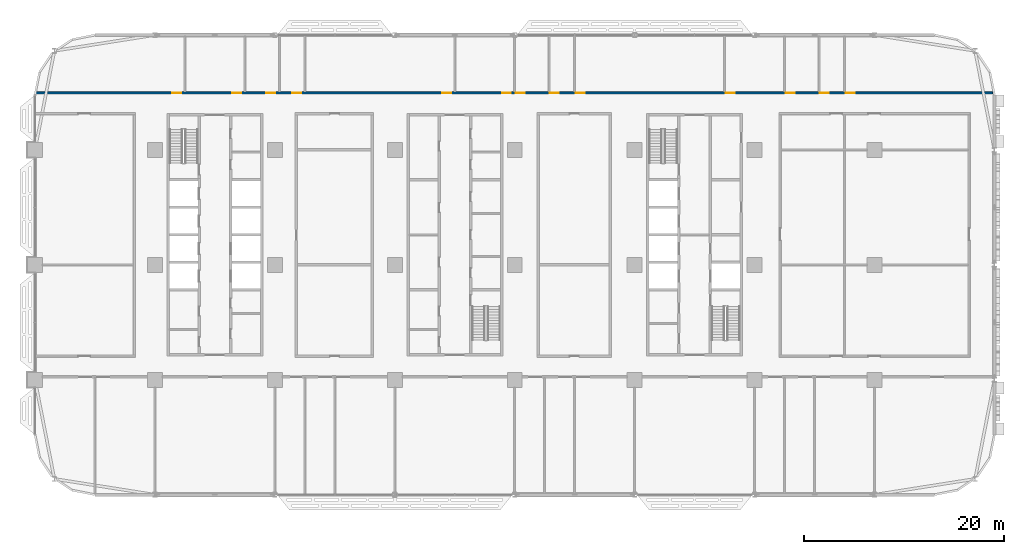
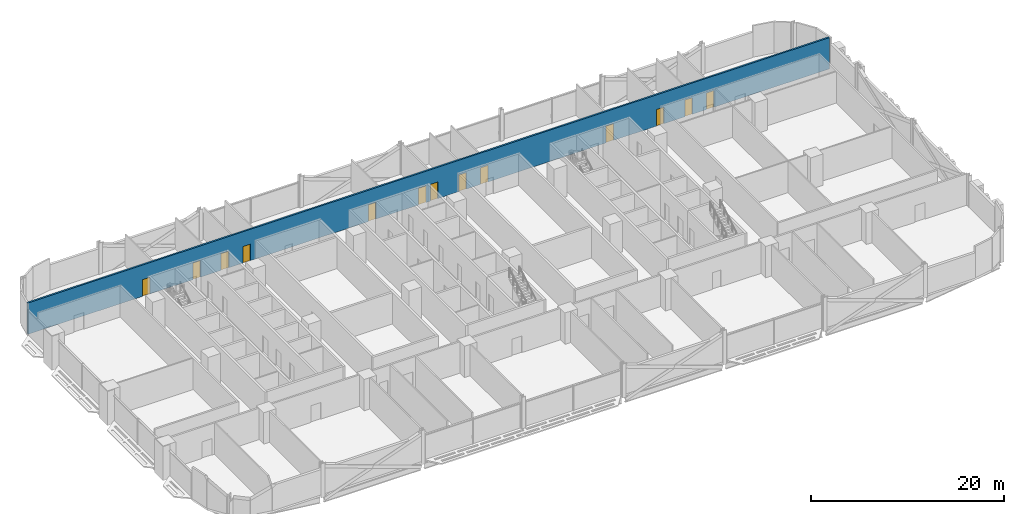
# One storey, part 15 of 29: 13 doors, 1 wall, 13 openings.
"""IFC4 building model written with IfcOpenShell, lengths in metres."""

from ifc_helpers import new_model, si_unit, direction, frame, frame_2d, origin, place, context, subcontext, project, spatial, rectangle, extrude, material, layer, layer_set, type_object, element, fill, save


model = new_model("IFC4")

# Units and contexts
model_context = context("Model", 3, precision=1e-05, world=origin(), true_north=direction((0.0, 1.0)))
body_context = subcontext(model_context, "Body", "Model", "MODEL_VIEW")
ifc_project = project(units=[si_unit("LENGTHUNIT", "METRE"), si_unit("AREAUNIT", "SQUARE_METRE"), si_unit("VOLUMEUNIT", "CUBIC_METRE"), si_unit("PLANEANGLEUNIT", "RADIAN"), si_unit("MASSUNIT", "GRAM", prefix="KILO")], contexts=[model_context])

# Site, building, storey
site_placement = place(None, origin())
site = spatial("IfcSite", under=ifc_project, at=site_placement, CompositionType="ELEMENT")
building_placement = place(site_placement, origin())
building = spatial("IfcBuilding", under=site, at=building_placement, Name="Mahtab Terrace Research Tower", CompositionType="ELEMENT")
storey_placement = place(building_placement, frame((0.0, 0.0, 67.5)))
storey = spatial("IfcBuildingStorey", under=building, at=storey_placement, Name="L15", CompositionType="ELEMENT", Elevation=67.5)

# Wall, openings, doors
ifc_material_1 = material(Name="Gypsum board corridor wall on steel studs", Category="steel")
ifc_layer = layer(ifc_material_1, 0.199951171875)
ifc_layer_set = layer_set([ifc_layer], Name="WALL CORRIDOR 200")
wall_type = type_object("IfcWallType", Name="WALL CORRIDOR 200", PredefinedType="PARTITIONING", material=ifc_layer_set)
wall_placement = place(storey_placement, frame((-41.97509765625, 17.199951171875, 0.0), z_axis=(0.0, 0.0, 1.0), x_axis=(1.0, 0.0, 0.0)))
wall = element("IfcWall", 1, at=wall_placement, inside=storey, type_object=wall_type, Name="L15-W025", PredefinedType="PARTITIONING", context=body_context, shape_type="SweptSolid", body=[
    extrude(rectangle(XDim=95.782470703125, YDim=0.199951171875, at=frame_2d((47.89111328125, 0.0))), origin(), (0.0, 0.0, 1.0), 3.9599609375),
])
opening_1_placement = place(wall_placement, frame((13.699951171875, 0.0, 0.0)))
opening_1 = element("IfcOpeningElement", 2, at=opening_1_placement, cuts=wall, Name="Opening L15-129", PredefinedType="OPENING", context=body_context, shape_type="SweptSolid", body=[
    extrude(rectangle(XDim=0.89990234375, YDim=2.10009765625, at=frame_2d((0.449951171875, 1.050048828125))), frame((0.0, 0.10986328125, 0.0), z_axis=(0.0, -1.0, 0.0), x_axis=(1.0, 0.0, 0.0)), (0.0, 0.0, 1.0), 0.219970703125),
])
opening_2_placement = place(wall_placement, frame((19.699951171875, 0.0, 0.0)))
opening_2 = element("IfcOpeningElement", 3, at=opening_2_placement, cuts=wall, Name="Opening L15-130", PredefinedType="OPENING", context=body_context, shape_type="SweptSolid", body=[
    extrude(rectangle(XDim=0.89990234375, YDim=2.10009765625, at=frame_2d((0.449951171875, 1.050048828125))), frame((0.0, 0.10986328125, 0.0), z_axis=(0.0, -1.0, 0.0), x_axis=(1.0, 0.0, 0.0)), (0.0, 0.0, 1.0), 0.219970703125),
])
opening_3_placement = place(wall_placement, frame((23.10009765625, 0.0, 0.0)))
opening_3 = element("IfcOpeningElement", 4, at=opening_3_placement, cuts=wall, Name="Opening L15-131", PredefinedType="OPENING", context=body_context, shape_type="SweptSolid", body=[
    extrude(rectangle(XDim=0.89990234375, YDim=2.10009765625, at=frame_2d((0.449951171875, 1.050048828125))), frame((0.0, 0.10986328125, 0.0), z_axis=(0.0, -1.0, 0.0), x_axis=(1.0, 0.0, 0.0)), (0.0, 0.0, 1.0), 0.219970703125),
])
opening_4_placement = place(wall_placement, frame((25.699951171875, 0.0, 0.0)))
opening_4 = element("IfcOpeningElement", 5, at=opening_4_placement, cuts=wall, Name="Opening L15-132", PredefinedType="OPENING", context=body_context, shape_type="SweptSolid", body=[
    extrude(rectangle(XDim=0.89990234375, YDim=2.10009765625, at=frame_2d((0.449951171875, 1.050048828125))), frame((0.0, 0.10986328125, 0.0), z_axis=(0.0, -1.0, 0.0), x_axis=(1.0, 0.0, 0.0)), (0.0, 0.0, 1.0), 0.219970703125),
])
opening_5_placement = place(wall_placement, frame((40.699951171875, 0.0, 0.0)))
opening_5 = element("IfcOpeningElement", 6, at=opening_5_placement, cuts=wall, Name="Opening L15-133", PredefinedType="OPENING", context=body_context, shape_type="SweptSolid", body=[
    extrude(rectangle(XDim=0.89990234375, YDim=2.10009765625, at=frame_2d((0.449951171875, 1.050048828125))), frame((0.0, 0.10986328125, 0.0), z_axis=(0.0, -1.0, 0.0), x_axis=(1.0, 0.0, 0.0)), (0.0, 0.0, 1.0), 0.219970703125),
])
opening_6_placement = place(wall_placement, frame((46.699951171875, 0.0, 0.0)))
opening_6 = element("IfcOpeningElement", 7, at=opening_6_placement, cuts=wall, Name="Opening L15-134", PredefinedType="OPENING", context=body_context, shape_type="SweptSolid", body=[
    extrude(rectangle(XDim=0.89990234375, YDim=2.10009765625, at=frame_2d((0.449951171875, 1.050048828125))), frame((0.0, 0.10986328125, 0.0), z_axis=(0.0, -1.0, 0.0), x_axis=(1.0, 0.0, 0.0)), (0.0, 0.0, 1.0), 0.219970703125),
])
opening_7_placement = place(wall_placement, frame((48.10009765625, 0.0, 0.0)))
opening_7 = element("IfcOpeningElement", 8, at=opening_7_placement, cuts=wall, Name="Opening L15-135", PredefinedType="OPENING", context=body_context, shape_type="SweptSolid", body=[
    extrude(rectangle(XDim=0.89990234375, YDim=2.10009765625, at=frame_2d((0.449951171875, 1.050048828125))), frame((0.0, 0.10986328125, 0.0), z_axis=(0.0, -1.0, 0.0), x_axis=(1.0, 0.0, 0.0)), (0.0, 0.0, 1.0), 0.219970703125),
])
opening_8_placement = place(wall_placement, frame((51.5, 0.0, 0.0)))
opening_8 = element("IfcOpeningElement", 9, at=opening_8_placement, cuts=wall, Name="Opening L15-136", PredefinedType="OPENING", context=body_context, shape_type="SweptSolid", body=[
    extrude(rectangle(XDim=0.89990234375, YDim=2.10009765625, at=frame_2d((0.449951171875, 1.050048828125))), frame((0.0, 0.10986328125, 0.0), z_axis=(0.0, -1.0, 0.0), x_axis=(1.0, 0.0, 0.0)), (0.0, 0.0, 1.0), 0.219970703125),
])
opening_9_placement = place(wall_placement, frame((54.10009765625, 0.0, 0.0)))
opening_9 = element("IfcOpeningElement", 10, at=opening_9_placement, cuts=wall, Name="Opening L15-137", PredefinedType="OPENING", context=body_context, shape_type="SweptSolid", body=[
    extrude(rectangle(XDim=0.89990234375, YDim=2.10009765625, at=frame_2d((0.449951171875, 1.050048828125))), frame((0.0, 0.10986328125, 0.0), z_axis=(0.0, -1.0, 0.0), x_axis=(1.0, 0.0, 0.0)), (0.0, 0.0, 1.0), 0.219970703125),
])
opening_10_placement = place(wall_placement, frame((69.10009765625, 0.0, 0.0)))
opening_10 = element("IfcOpeningElement", 11, at=opening_10_placement, cuts=wall, Name="Opening L15-138", PredefinedType="OPENING", context=body_context, shape_type="SweptSolid", body=[
    extrude(rectangle(XDim=0.89990234375, YDim=2.10009765625, at=frame_2d((0.449951171875, 1.050048828125))), frame((0.0, 0.10986328125, 0.0), z_axis=(0.0, -1.0, 0.0), x_axis=(1.0, 0.0, 0.0)), (0.0, 0.0, 1.0), 0.219970703125),
])
opening_11_placement = place(wall_placement, frame((75.10009765625, 0.0, 0.0)))
opening_11 = element("IfcOpeningElement", 12, at=opening_11_placement, cuts=wall, Name="Opening L15-139", PredefinedType="OPENING", context=body_context, shape_type="SweptSolid", body=[
    extrude(rectangle(XDim=0.89990234375, YDim=2.10009765625, at=frame_2d((0.449951171875, 1.050048828125))), frame((0.0, 0.10986328125, 0.0), z_axis=(0.0, -1.0, 0.0), x_axis=(1.0, 0.0, 0.0)), (0.0, 0.0, 1.0), 0.219970703125),
])
opening_12_placement = place(wall_placement, frame((78.5, 0.0, 0.0)))
opening_12 = element("IfcOpeningElement", 13, at=opening_12_placement, cuts=wall, Name="Opening L15-140", PredefinedType="OPENING", context=body_context, shape_type="SweptSolid", body=[
    extrude(rectangle(XDim=0.89990234375, YDim=2.10009765625, at=frame_2d((0.449951171875, 1.050048828125))), frame((0.0, 0.10986328125, 0.0), z_axis=(0.0, -1.0, 0.0), x_axis=(1.0, 0.0, 0.0)), (0.0, 0.0, 1.0), 0.219970703125),
])
opening_13_placement = place(wall_placement, frame((81.10009765625, 0.0, 0.0)))
opening_13 = element("IfcOpeningElement", 14, at=opening_13_placement, cuts=wall, Name="Opening L15-141", PredefinedType="OPENING", context=body_context, shape_type="SweptSolid", body=[
    extrude(rectangle(XDim=0.89990234375, YDim=2.10009765625, at=frame_2d((0.449951171875, 1.050048828125))), frame((0.0, 0.10986328125, 0.0), z_axis=(0.0, -1.0, 0.0), x_axis=(1.0, 0.0, 0.0)), (0.0, 0.0, 1.0), 0.219970703125),
])
ifc_material_2 = material(Name="Timber door leaf in steel frame", Category="steel")
door_type = type_object("IfcDoorType", Name="DOOR 0900X2100 FD30S", OperationType="SINGLE_SWING_LEFT", PredefinedType="DOOR", material=ifc_material_2)
door_1_placement = place(opening_1_placement, origin())
door_1 = element("IfcDoor", 15, at=door_1_placement, inside=storey, type_object=door_type, Name="Door L15-129", OperationType="SINGLE_SWING_LEFT", OverallHeight=2.10009765625, OverallWidth=0.89990234375, PredefinedType="DOOR", context=body_context, shape_type="SweptSolid", body=[
    extrude(rectangle(XDim=0.89990234375, YDim=2.10009765625, at=frame_2d((0.449951171875, 1.050048828125))), frame((0.0, 0.02490234375, 0.0), z_axis=(0.0, -1.0, 0.0), x_axis=(1.0, 0.0, 0.0)), (0.0, 0.0, 1.0), 0.050048828125),
])
fill(opening_1, door_1)
door_2_placement = place(opening_2_placement, origin())
door_2 = element("IfcDoor", 16, at=door_2_placement, inside=storey, type_object=door_type, Name="Door L15-130", OperationType="SINGLE_SWING_LEFT", OverallHeight=2.10009765625, OverallWidth=0.89990234375, PredefinedType="DOOR", context=body_context, shape_type="SweptSolid", body=[
    extrude(rectangle(XDim=0.89990234375, YDim=2.10009765625, at=frame_2d((0.449951171875, 1.050048828125))), frame((0.0, 0.02490234375, 0.0), z_axis=(0.0, -1.0, 0.0), x_axis=(1.0, 0.0, 0.0)), (0.0, 0.0, 1.0), 0.050048828125),
])
fill(opening_2, door_2)
door_3_placement = place(opening_3_placement, origin())
door_3 = element("IfcDoor", 17, at=door_3_placement, inside=storey, type_object=door_type, Name="Door L15-131", OperationType="SINGLE_SWING_LEFT", OverallHeight=2.10009765625, OverallWidth=0.89990234375, PredefinedType="DOOR", context=body_context, shape_type="SweptSolid", body=[
    extrude(rectangle(XDim=0.89990234375, YDim=2.10009765625, at=frame_2d((0.449951171875, 1.050048828125))), frame((0.0, 0.02490234375, 0.0), z_axis=(0.0, -1.0, 0.0), x_axis=(1.0, 0.0, 0.0)), (0.0, 0.0, 1.0), 0.050048828125),
])
fill(opening_3, door_3)
door_4_placement = place(opening_4_placement, origin())
door_4 = element("IfcDoor", 18, at=door_4_placement, inside=storey, type_object=door_type, Name="Door L15-132", OperationType="SINGLE_SWING_LEFT", OverallHeight=2.10009765625, OverallWidth=0.89990234375, PredefinedType="DOOR", context=body_context, shape_type="SweptSolid", body=[
    extrude(rectangle(XDim=0.89990234375, YDim=2.10009765625, at=frame_2d((0.449951171875, 1.050048828125))), frame((0.0, 0.02490234375, 0.0), z_axis=(0.0, -1.0, 0.0), x_axis=(1.0, 0.0, 0.0)), (0.0, 0.0, 1.0), 0.050048828125),
])
fill(opening_4, door_4)
door_5_placement = place(opening_5_placement, origin())
door_5 = element("IfcDoor", 19, at=door_5_placement, inside=storey, type_object=door_type, Name="Door L15-133", OperationType="SINGLE_SWING_LEFT", OverallHeight=2.10009765625, OverallWidth=0.89990234375, PredefinedType="DOOR", context=body_context, shape_type="SweptSolid", body=[
    extrude(rectangle(XDim=0.89990234375, YDim=2.10009765625, at=frame_2d((0.449951171875, 1.050048828125))), frame((0.0, 0.02490234375, 0.0), z_axis=(0.0, -1.0, 0.0), x_axis=(1.0, 0.0, 0.0)), (0.0, 0.0, 1.0), 0.050048828125),
])
fill(opening_5, door_5)
door_6_placement = place(opening_6_placement, origin())
door_6 = element("IfcDoor", 20, at=door_6_placement, inside=storey, type_object=door_type, Name="Door L15-134", OperationType="SINGLE_SWING_LEFT", OverallHeight=2.10009765625, OverallWidth=0.89990234375, PredefinedType="DOOR", context=body_context, shape_type="SweptSolid", body=[
    extrude(rectangle(XDim=0.89990234375, YDim=2.10009765625, at=frame_2d((0.449951171875, 1.050048828125))), frame((0.0, 0.02490234375, 0.0), z_axis=(0.0, -1.0, 0.0), x_axis=(1.0, 0.0, 0.0)), (0.0, 0.0, 1.0), 0.050048828125),
])
fill(opening_6, door_6)
door_7_placement = place(opening_7_placement, origin())
door_7 = element("IfcDoor", 21, at=door_7_placement, inside=storey, type_object=door_type, Name="Door L15-135", OperationType="SINGLE_SWING_RIGHT", OverallHeight=2.10009765625, OverallWidth=0.89990234375, PredefinedType="DOOR", context=body_context, shape_type="SweptSolid", body=[
    extrude(rectangle(XDim=0.89990234375, YDim=2.10009765625, at=frame_2d((0.449951171875, 1.050048828125))), frame((0.0, 0.02490234375, 0.0), z_axis=(0.0, -1.0, 0.0), x_axis=(1.0, 0.0, 0.0)), (0.0, 0.0, 1.0), 0.050048828125),
])
fill(opening_7, door_7)
door_8_placement = place(opening_8_placement, origin())
door_8 = element("IfcDoor", 22, at=door_8_placement, inside=storey, type_object=door_type, Name="Door L15-136", OperationType="SINGLE_SWING_RIGHT", OverallHeight=2.10009765625, OverallWidth=0.89990234375, PredefinedType="DOOR", context=body_context, shape_type="SweptSolid", body=[
    extrude(rectangle(XDim=0.89990234375, YDim=2.10009765625, at=frame_2d((0.449951171875, 1.050048828125))), frame((0.0, 0.02490234375, 0.0), z_axis=(0.0, -1.0, 0.0), x_axis=(1.0, 0.0, 0.0)), (0.0, 0.0, 1.0), 0.050048828125),
])
fill(opening_8, door_8)
door_9_placement = place(opening_9_placement, origin())
door_9 = element("IfcDoor", 23, at=door_9_placement, inside=storey, type_object=door_type, Name="Door L15-137", OperationType="SINGLE_SWING_RIGHT", OverallHeight=2.10009765625, OverallWidth=0.89990234375, PredefinedType="DOOR", context=body_context, shape_type="SweptSolid", body=[
    extrude(rectangle(XDim=0.89990234375, YDim=2.10009765625, at=frame_2d((0.449951171875, 1.050048828125))), frame((0.0, 0.02490234375, 0.0), z_axis=(0.0, -1.0, 0.0), x_axis=(1.0, 0.0, 0.0)), (0.0, 0.0, 1.0), 0.050048828125),
])
fill(opening_9, door_9)
door_10_placement = place(opening_10_placement, origin())
door_10 = element("IfcDoor", 24, at=door_10_placement, inside=storey, type_object=door_type, Name="Door L15-138", OperationType="SINGLE_SWING_RIGHT", OverallHeight=2.10009765625, OverallWidth=0.89990234375, PredefinedType="DOOR", context=body_context, shape_type="SweptSolid", body=[
    extrude(rectangle(XDim=0.89990234375, YDim=2.10009765625, at=frame_2d((0.449951171875, 1.050048828125))), frame((0.0, 0.02490234375, 0.0), z_axis=(0.0, -1.0, 0.0), x_axis=(1.0, 0.0, 0.0)), (0.0, 0.0, 1.0), 0.050048828125),
])
fill(opening_10, door_10)
door_11_placement = place(opening_11_placement, origin())
door_11 = element("IfcDoor", 25, at=door_11_placement, inside=storey, type_object=door_type, Name="Door L15-139", OperationType="SINGLE_SWING_RIGHT", OverallHeight=2.10009765625, OverallWidth=0.89990234375, PredefinedType="DOOR", context=body_context, shape_type="SweptSolid", body=[
    extrude(rectangle(XDim=0.89990234375, YDim=2.10009765625, at=frame_2d((0.449951171875, 1.050048828125))), frame((0.0, 0.02490234375, 0.0), z_axis=(0.0, -1.0, 0.0), x_axis=(1.0, 0.0, 0.0)), (0.0, 0.0, 1.0), 0.050048828125),
])
fill(opening_11, door_11)
door_12_placement = place(opening_12_placement, origin())
door_12 = element("IfcDoor", 26, at=door_12_placement, inside=storey, type_object=door_type, Name="Door L15-140", OperationType="SINGLE_SWING_RIGHT", OverallHeight=2.10009765625, OverallWidth=0.89990234375, PredefinedType="DOOR", context=body_context, shape_type="SweptSolid", body=[
    extrude(rectangle(XDim=0.89990234375, YDim=2.10009765625, at=frame_2d((0.449951171875, 1.050048828125))), frame((0.0, 0.02490234375, 0.0), z_axis=(0.0, -1.0, 0.0), x_axis=(1.0, 0.0, 0.0)), (0.0, 0.0, 1.0), 0.050048828125),
])
fill(opening_12, door_12)
door_13_placement = place(opening_13_placement, origin())
door_13 = element("IfcDoor", 27, at=door_13_placement, inside=storey, type_object=door_type, Name="Door L15-141", OperationType="SINGLE_SWING_RIGHT", OverallHeight=2.10009765625, OverallWidth=0.89990234375, PredefinedType="DOOR", context=body_context, shape_type="SweptSolid", body=[
    extrude(rectangle(XDim=0.89990234375, YDim=2.10009765625, at=frame_2d((0.449951171875, 1.050048828125))), frame((0.0, 0.02490234375, 0.0), z_axis=(0.0, -1.0, 0.0), x_axis=(1.0, 0.0, 0.0)), (0.0, 0.0, 1.0), 0.050048828125),
])
fill(opening_13, door_13)

save(model, "model.ifc")
